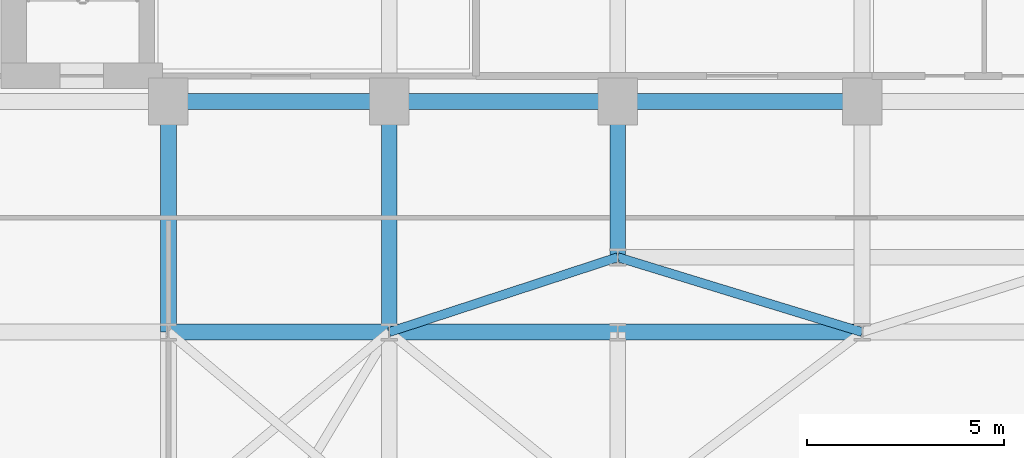
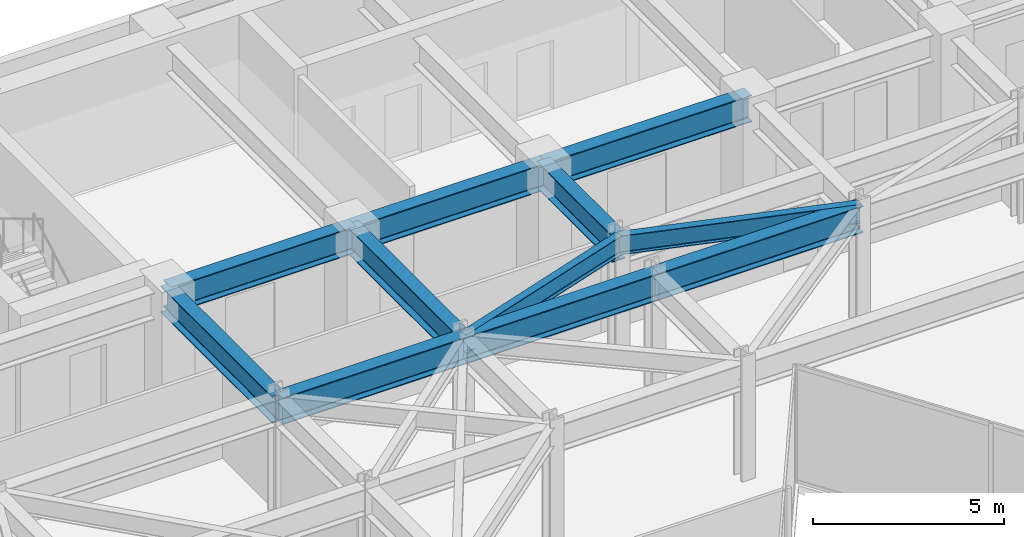
# One storey, part 14 of 26: 11 beams.
"""IFC4 building model written with IfcOpenShell, lengths in metres."""

from ifc_helpers import new_model, si_unit, direction, frame, origin, origin_2d, place, context, subcontext, project, spatial, i_section, extrude, material, material_profile, profile_set, type_object, element, save


model = new_model("IFC4")

# Units and contexts
model_context = context("Model", 3, precision=1e-05, world=origin(), true_north=direction((0.0, 1.0)))
body_context = subcontext(model_context, "Body", "Model", "MODEL_VIEW")
ifc_project = project(units=[si_unit("LENGTHUNIT", "METRE"), si_unit("AREAUNIT", "SQUARE_METRE"), si_unit("VOLUMEUNIT", "CUBIC_METRE"), si_unit("PLANEANGLEUNIT", "RADIAN"), si_unit("MASSUNIT", "GRAM", prefix="KILO")], contexts=[model_context])

# Site, building, storey
site_placement = place(None, origin())
site = spatial("IfcSite", under=ifc_project, at=site_placement, CompositionType="ELEMENT")
building_placement = place(site_placement, origin())
building = spatial("IfcBuilding", under=site, at=building_placement, Name="Kravanh Interchange Tower", CompositionType="ELEMENT")
storey_placement = place(building_placement, frame((0.0, 0.0, 144.0)))
storey = spatial("IfcBuildingStorey", under=building, at=storey_placement, Name="L34", CompositionType="ELEMENT", Elevation=144.0)

# Beams
ifc_material_1 = material(Name="Structural Steel S355", Category="steel")
ifc_material_profile_1 = material_profile(ifc_material_1, i_section(OverallWidth=0.39990234375, OverallDepth=0.85595703125, WebThickness=0.018310546875, FlangeThickness=0.029296875, FilletRadius=0.02490234375, at=origin_2d()), Name="W33X201")
ifc_profile_set_1 = profile_set([ifc_material_profile_1], Name="Structural Steel S355")
beam_type_1 = type_object("IfcBeamType", Name="Floor Beam W33X201 Structural Steel S355", PredefinedType="BEAM", material=ifc_profile_set_1)
beam_1_placement = place(storey_placement, frame((44.800048828125, 37.35009765625, 3.322021484375), z_axis=(-1.0, 0.0, 0.0), x_axis=(0.0, -1.0, 0.0)))
element("IfcBeam", 1, at=beam_1_placement, inside=storey, type_object=beam_type_1, Name="L34 Primary Floor Girder 13", PredefinedType="BEAM", context=body_context, shape_type="SweptSolid", body=[
    extrude(i_section(OverallWidth=0.39990234375, OverallDepth=0.85595703125, WebThickness=0.018310546875, FlangeThickness=0.029296875, FilletRadius=0.02490234375, at=origin_2d()), origin(), (0.0, 0.0, 1.0), 6.199951171875),
])
beam_2_placement = place(storey_placement, frame((38.60009765625, 37.35009765625, 3.322021484375), z_axis=(0.0, -1.0, 0.0), x_axis=(1.0, 0.0, 0.0)))
element("IfcBeam", 2, at=beam_2_placement, inside=storey, type_object=beam_type_1, Name="L34 Primary Floor Girder 16", PredefinedType="BEAM", context=body_context, shape_type="SweptSolid", body=[
    extrude(i_section(OverallWidth=0.39990234375, OverallDepth=0.85595703125, WebThickness=0.018310546875, FlangeThickness=0.029296875, FilletRadius=0.02490234375, at=origin_2d()), origin(), (0.0, 0.0, 1.0), 3.9501953125),
])
beam_3_placement = place(storey_placement, frame((38.60009765625, 37.35009765625, 3.322021484375), z_axis=(-1.0, 0.0, 0.0), x_axis=(0.0, -1.0, 0.0)))
element("IfcBeam", 3, at=beam_3_placement, inside=storey, type_object=beam_type_1, Name="L34 Primary Floor Girder 17", PredefinedType="BEAM", context=body_context, shape_type="SweptSolid", body=[
    extrude(i_section(OverallWidth=0.39990234375, OverallDepth=0.85595703125, WebThickness=0.018310546875, FlangeThickness=0.029296875, FilletRadius=0.02490234375, at=origin_2d()), origin(), (0.0, 0.0, 1.0), 5.800048828125),
])
beam_4_placement = place(storey_placement, frame((32.800048828125, 37.35009765625, 3.322021484375), z_axis=(-1.0, 0.0, 0.0), x_axis=(0.0, -1.0, 0.0)))
element("IfcBeam", 4, at=beam_4_placement, inside=storey, type_object=beam_type_1, Name="L34 Primary Floor Girder 20", PredefinedType="BEAM", context=body_context, shape_type="SweptSolid", body=[
    extrude(i_section(OverallWidth=0.39990234375, OverallDepth=0.85595703125, WebThickness=0.018310546875, FlangeThickness=0.029296875, FilletRadius=0.02490234375, at=origin_2d()), origin(), (0.0, 0.0, 1.0), 5.60009765625),
])
for number, where, z_axis, x_axis, name in (
    (5, (32.800048828125, 37.35009765625, 3.322021484375), (0.0, -1.0, 0.0), (1.0, 0.0, 0.0), "L34 Primary Floor Girder 21"),
    (6, (27.199951171875, 37.35009765625, 3.322021484375), (0.0, -1.0, 0.0), (1.0, 0.0, 0.0), "L34 Primary Floor Girder 24"),
):
    element("IfcBeam", number, at=place(storey_placement, frame(where, z_axis=z_axis, x_axis=x_axis)), inside=storey, type_object=beam_type_1, Name=name, PredefinedType="BEAM", context=body_context, shape_type="SweptSolid", body=[
        extrude(i_section(OverallWidth=0.39990234375, OverallDepth=0.85595703125, WebThickness=0.018310546875, FlangeThickness=0.029296875, FilletRadius=0.02490234375, at=origin_2d()), origin(), (0.0, 0.0, 1.0), 5.85009765625),
    ])
beam_5_placement = place(storey_placement, frame((27.199951171875, 31.5, 3.322021484375), z_axis=(1.0, 0.0, 0.0), x_axis=(0.0, 1.0, 0.0)))
element("IfcBeam", 7, at=beam_5_placement, inside=storey, type_object=beam_type_1, Name="L34 Primary Floor Girder 74", PredefinedType="BEAM", context=body_context, shape_type="SweptSolid", body=[
    extrude(i_section(OverallWidth=0.39990234375, OverallDepth=0.85595703125, WebThickness=0.018310546875, FlangeThickness=0.029296875, FilletRadius=0.02490234375, at=origin_2d()), origin(), (0.0, 0.0, 1.0), 5.60009765625),
])
beam_6_placement = place(storey_placement, frame((32.800048828125, 31.5, 3.322021484375), z_axis=(1.0, 0.0, 0.0), x_axis=(0.0, 1.0, 0.0)))
element("IfcBeam", 8, at=beam_6_placement, inside=storey, type_object=beam_type_1, Name="L34 Primary Floor Girder 78", PredefinedType="BEAM", context=body_context, shape_type="SweptSolid", body=[
    extrude(i_section(OverallWidth=0.39990234375, OverallDepth=0.85595703125, WebThickness=0.018310546875, FlangeThickness=0.029296875, FilletRadius=0.02490234375, at=origin_2d()), origin(), (0.0, 0.0, 1.0), 5.800048828125),
])
beam_7_placement = place(storey_placement, frame((38.60009765625, 31.5, 3.322021484375), z_axis=(1.0, 0.0, 0.0), x_axis=(0.0, 1.0, 0.0)))
element("IfcBeam", 9, at=beam_7_placement, inside=storey, type_object=beam_type_1, Name="L34 Primary Floor Girder 81", PredefinedType="BEAM", context=body_context, shape_type="SweptSolid", body=[
    extrude(i_section(OverallWidth=0.39990234375, OverallDepth=0.85595703125, WebThickness=0.018310546875, FlangeThickness=0.029296875, FilletRadius=0.02490234375, at=origin_2d()), origin(), (0.0, 0.0, 1.0), 6.199951171875),
])
ifc_material_2 = material(Name="Structural Steel S355", Category="steel")
ifc_material_profile_2 = material_profile(ifc_material_2, i_section(OverallWidth=0.22802734375, OverallDepth=0.60791015625, WebThickness=0.01123046875, FlangeThickness=0.017333984375, FilletRadius=0.02197265625, at=origin_2d()), Name="W24X76")
ifc_profile_set_2 = profile_set([ifc_material_profile_2], Name="Structural Steel S355")
beam_type_2 = type_object("IfcBeamType", Name="Floor Spandrel W24X76 Structural Steel S355", PredefinedType="SPANDREL", material=ifc_profile_set_2)
beam_8_placement = place(storey_placement, frame((32.800048828125, 31.5, 3.446044921875), z_axis=(0.950314536578, 0.31129131303, 0.0), x_axis=(-0.31129131303, 0.950314536578, 0.0)))
element("IfcBeam", 10, at=beam_8_placement, inside=storey, type_object=beam_type_2, Name="L34 Perimeter Spandrel 79", PredefinedType="SPANDREL", context=body_context, shape_type="SweptSolid", body=[
    extrude(i_section(OverallWidth=0.22802734375, OverallDepth=0.60791015625, WebThickness=0.01123046875, FlangeThickness=0.017333984375, FilletRadius=0.02197265625, at=origin_2d()), origin(), (0.0, 0.0, 1.0), 6.103271484375),
])
beam_9_placement = place(storey_placement, frame((44.800048828125, 31.5, 3.446044921875), z_axis=(-0.956115397264, 0.292990353279, 0.0), x_axis=(-0.292990353279, -0.956115397264, 0.0)))
element("IfcBeam", 11, at=beam_9_placement, inside=storey, type_object=beam_type_2, Name="L34 Perimeter Spandrel 85", PredefinedType="SPANDREL", context=body_context, shape_type="SweptSolid", body=[
    extrude(i_section(OverallWidth=0.22802734375, OverallDepth=0.60791015625, WebThickness=0.01123046875, FlangeThickness=0.017333984375, FilletRadius=0.02197265625, at=origin_2d()), origin(), (0.0, 0.0, 1.0), 6.484619140625),
])

save(model, "model.ifc")
